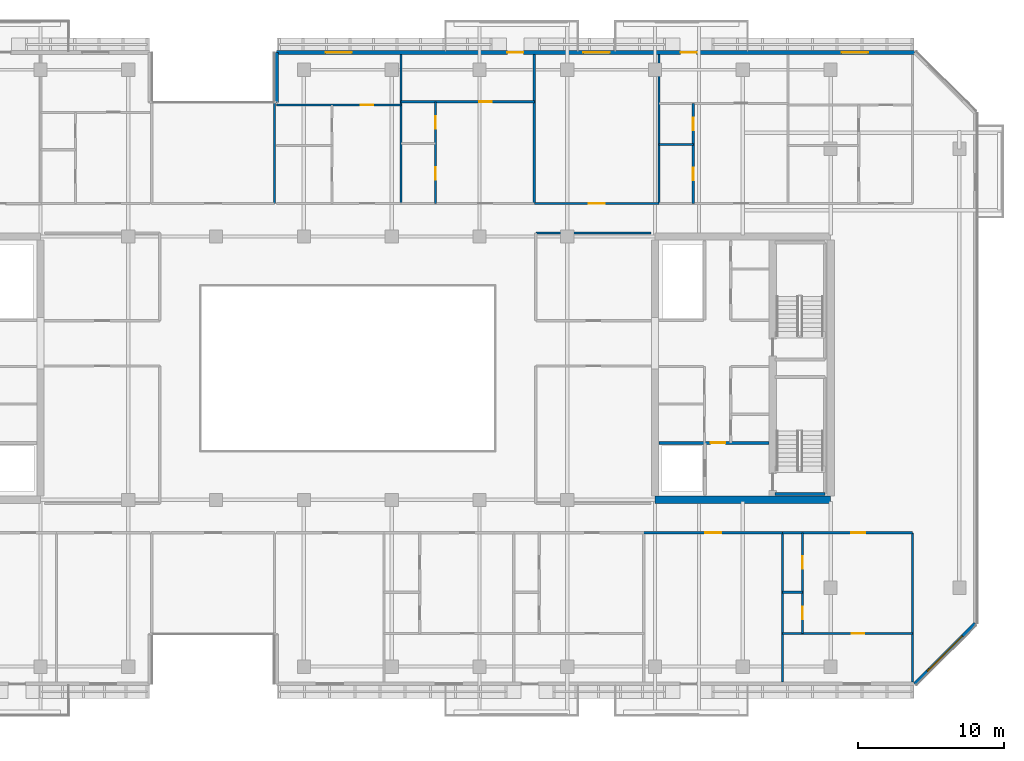
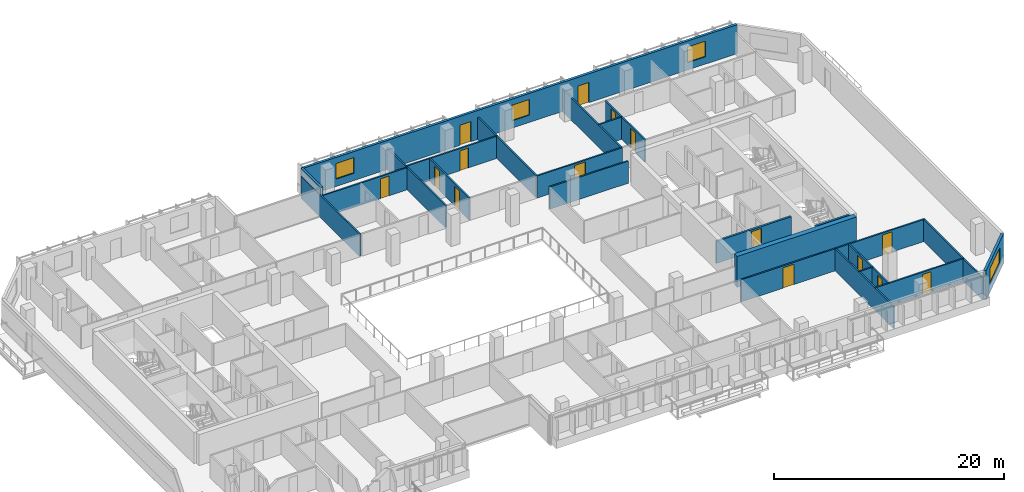
# One storey, part 13 of 21: 24 walls, 15 doors, 4 windows, 19 openings.
"""IFC4 building model written with IfcOpenShell, lengths in metres."""

from ifc_helpers import new_model, si_unit, direction, frame, frame_2d, origin, place, context, subcontext, project, spatial, rectangle, extrude, material, layer, layer_set, type_object, element, fill, save


model = new_model("IFC4")

# Units and contexts
model_context = context("Model", 3, precision=1e-05, world=origin(), true_north=direction((0.0, 1.0)))
body_context = subcontext(model_context, "Body", "Model", "MODEL_VIEW")
ifc_project = project(units=[si_unit("LENGTHUNIT", "METRE"), si_unit("AREAUNIT", "SQUARE_METRE"), si_unit("VOLUMEUNIT", "CUBIC_METRE"), si_unit("PLANEANGLEUNIT", "RADIAN"), si_unit("MASSUNIT", "GRAM", prefix="KILO")], contexts=[model_context])

# Site, building, storey
site_placement = place(None, origin())
site = spatial("IfcSite", under=ifc_project, at=site_placement, CompositionType="ELEMENT")
building_placement = place(site_placement, origin())
building = spatial("IfcBuilding", under=site, at=building_placement, Name="Tanjung Sevakor Pilgrim Tower", CompositionType="ELEMENT")
storey_placement = place(building_placement, frame((0.0, 0.0, 145.199951171875)))
storey = spatial("IfcBuildingStorey", under=building, at=storey_placement, Name="L40", CompositionType="ELEMENT", Elevation=145.199951171875)

# Walls
ifc_material_1 = material(Name="Concrete C60/75", Category="concrete")
ifc_layer_1 = layer(ifc_material_1, 0.5)
ifc_layer_set_1 = layer_set([ifc_layer_1], Name="WALL-CW-500")
wall_type_1 = type_object("IfcWallType", Name="WALL-CW-500", PredefinedType="SHEAR", material=ifc_layer_set_1)
wall_1_placement = place(storey_placement, frame((78.0, 24.60009765625, 0.0), z_axis=(0.0, 0.0, 1.0), x_axis=(1.0, 0.0, 0.0)))
element("IfcWall", 1, at=wall_1_placement, inside=storey, type_object=wall_type_1, Name="L40 E Core South Shear Wall", PredefinedType="SHEAR", context=body_context, shape_type="SweptSolid", body=[
    extrude(rectangle(XDim=12.0, YDim=0.5, at=frame_2d((6.0, 0.0))), origin(), (0.0, 0.0, 1.0), 3.300048828125),
])
ifc_material_2 = material(Name="Concrete C40/50", Category="concrete")
ifc_layer_2 = layer(ifc_material_2, 0.14990234375)
ifc_layer_set_2 = layer_set([ifc_layer_2], Name="WT-COMP-150")
wall_type_2 = type_object("IfcWallType", Name="WT-COMP-150", PredefinedType="SOLIDWALL", material=ifc_layer_set_2)
wall_2_placement = place(storey_placement, frame((69.85009765625, 42.85009765625, 0.0), z_axis=(0.0, 0.0, 1.0), x_axis=(1.0, 0.0, 0.0)))
element("IfcWall", 2, at=wall_2_placement, inside=storey, type_object=wall_type_2, Name="L40 Partition IW-L40-037", PredefinedType="SOLIDWALL", context=body_context, shape_type="SweptSolid", body=[
    extrude(rectangle(XDim=7.8798828125, YDim=0.14990234375, at=frame_2d((3.93994140625, 0.0))), origin(), (0.0, 0.0, 1.0), 2.35009765625),
])
wall_3_placement = place(storey_placement, frame((52.0, 44.85009765625, 0.0), z_axis=(0.0, 0.0, 1.0), x_axis=(0.0, 1.0, 0.0)))
element("IfcWall", 3, at=wall_3_placement, inside=storey, type_object=wall_type_2, Name="L40 Partition IW-L40-044", PredefinedType="SOLIDWALL", context=body_context, shape_type="SweptSolid", body=[
    extrude(rectangle(XDim=10.199951171875, YDim=0.14990234375, at=frame_2d((5.10009765625, 0.0))), origin(), (0.0, 0.0, 1.0), 2.35009765625),
])
for number, where, z_axis, x_axis, name in (
    (4, (95.60009765625, 12.14990234375, 0.0), (0.0, 0.0, 1.0), (0.0, 1.0, 0.0), "L40 Partition IW-L40-056"),
    (5, (86.72021484375, 12.14990234375, 0.0), (0.0, 0.0, 1.0), (0.0, 1.0, 0.0), "L40 Partition IW-L40-069"),
):
    element("IfcWall", number, at=place(storey_placement, frame(where, z_axis=z_axis, x_axis=x_axis)), inside=storey, type_object=wall_type_2, Name=name, PredefinedType="SOLIDWALL", context=body_context, shape_type="SweptSolid", body=[
        extrude(rectangle(XDim=10.2001953125, YDim=0.14990234375, at=frame_2d((5.10009765625, 0.0))), origin(), (0.0, 0.0, 1.0), 2.35009765625),
    ])

# Wall, opening, door
wall_4_placement = place(storey_placement, frame((77.22802734375, 22.35009765625, 0.0), z_axis=(0.0, 0.0, 1.0), x_axis=(1.0, 0.0, 0.0)))
wall_4 = element("IfcWall", 6, at=wall_4_placement, inside=storey, type_object=wall_type_2, Name="L40 Partition IW-L40-070", PredefinedType="SOLIDWALL", context=body_context, shape_type="SweptSolid", body=[
    extrude(rectangle(XDim=9.4921875, YDim=0.14990234375, at=frame_2d((4.74609375, 0.0))), origin(), (0.0, 0.0, 1.0), 2.35009765625),
])
opening_1_placement = place(wall_4_placement, frame((4.196044921875, 0.0, 0.0)))
opening_1 = element("IfcOpeningElement", 7, at=opening_1_placement, cuts=wall_4, Name="Opening ID-FD0", PredefinedType="OPENING", context=body_context, shape_type="SweptSolid", body=[
    extrude(rectangle(XDim=1.10009765625, YDim=2.14990234375, at=frame_2d((0.550048828125, 1.074951171875))), frame((0.0, 0.0849609375, 0.0), z_axis=(0.0, -1.0, 0.0), x_axis=(1.0, 0.0, 0.0)), (0.0, 0.0, 1.0), 0.169921875),
])
ifc_material_3 = material(Name="Fire-Rated Steel S355J2", Category="steel")
door_type_1 = type_object("IfcDoorType", Name="DT-FIRE-1100", OperationType="NOTDEFINED", PredefinedType="DOOR", material=ifc_material_3)
door_1_placement = place(opening_1_placement, origin())
door_1 = element("IfcDoor", 8, at=door_1_placement, inside=storey, type_object=door_type_1, Name="Council Room Door", OperationType="SINGLE_SWING_RIGHT", OverallHeight=2.14990234375, OverallWidth=1.10009765625, PredefinedType="DOOR", context=body_context, shape_type="SweptSolid", body=[
    extrude(rectangle(XDim=1.10009765625, YDim=2.14990234375, at=frame_2d((0.550048828125, 1.074951171875))), frame((0.0, 0.02490234375, 0.0), z_axis=(0.0, -1.0, 0.0), x_axis=(1.0, 0.0, 0.0)), (0.0, 0.0, 1.0), 0.050048828125),
])
fill(opening_1, door_1)

wall_5_placement = place(storey_placement, frame((86.72021484375, 22.35009765625, 0.0), z_axis=(0.0, 0.0, 1.0), x_axis=(1.0, 0.0, 0.0)))
wall_5 = element("IfcWall", 9, at=wall_5_placement, inside=storey, type_object=wall_type_2, Name="L40 Partition IW-L40-074", PredefinedType="SOLIDWALL", context=body_context, shape_type="SweptSolid", body=[
    extrude(rectangle(XDim=8.8798828125, YDim=0.14990234375, at=frame_2d((4.43994140625, 0.0))), origin(), (0.0, 0.0, 1.0), 2.35009765625),
])
opening_2_placement = place(wall_5_placement, frame((4.684814453125, 0.0, 0.0)))
opening_2 = element("IfcOpeningElement", 10, at=opening_2_placement, cuts=wall_5, Name="Opening ID-FD2", PredefinedType="OPENING", context=body_context, shape_type="SweptSolid", body=[
    extrude(rectangle(XDim=0.949951171875, YDim=2.14990234375, at=frame_2d((0.47509765625, 1.074951171875))), frame((0.0, 0.0849609375, 0.0), z_axis=(0.0, -1.0, 0.0), x_axis=(1.0, 0.0, 0.0)), (0.0, 0.0, 1.0), 0.169921875),
])
ifc_material_4 = material(Name="Fire-Rated Timber", Category="wood")
door_type_2 = type_object("IfcDoorType", Name="DT-FIRE-950", OperationType="NOTDEFINED", PredefinedType="DOOR", material=ifc_material_4)
door_2_placement = place(opening_2_placement, origin())
door_2 = element("IfcDoor", 11, at=door_2_placement, inside=storey, type_object=door_type_2, Name="Residence Entrance", OperationType="SINGLE_SWING_RIGHT", OverallHeight=2.14990234375, OverallWidth=0.949951171875, PredefinedType="DOOR", context=body_context, shape_type="SweptSolid", body=[
    extrude(rectangle(XDim=0.949951171875, YDim=2.14990234375, at=frame_2d((0.47509765625, 1.074951171875))), frame((0.0, 0.02490234375, 0.0), z_axis=(0.0, -1.0, 0.0), x_axis=(1.0, 0.0, 0.0)), (0.0, 0.0, 1.0), 0.050048828125),
])
fill(opening_2, door_2)

# Walls
for number, where, z_axis, x_axis, name in (
    (12, (60.6396484375, 44.85009765625, 0.0), (0.0, 0.0, 1.0), (0.0, 1.0, 0.0), "L40 Partition IW-L40-087"),
    (13, (69.7470703125, 44.85009765625, 0.0), (0.0, 0.0, 1.0), (0.0, 1.0, 0.0), "L40 Partition IW-L40-092"),
    (14, (78.2666015625, 44.85009765625, 0.0), (0.0, 0.0, 1.0), (0.0, 1.0, 0.0), "L40 Partition IW-L40-097"),
):
    element("IfcWall", number, at=place(storey_placement, frame(where, z_axis=z_axis, x_axis=x_axis)), inside=storey, type_object=wall_type_2, Name=name, PredefinedType="SOLIDWALL", context=body_context, shape_type="SweptSolid", body=[
        extrude(rectangle(XDim=10.199951171875, YDim=0.14990234375, at=frame_2d((5.10009765625, 0.0))), origin(), (0.0, 0.0, 1.0), 2.35009765625),
    ])

# Wall, opening, door
wall_6_placement = place(storey_placement, frame((69.7470703125, 44.85009765625, 0.0), z_axis=(0.0, 0.0, 1.0), x_axis=(1.0, 0.0, 0.0)))
wall_6 = element("IfcWall", 15, at=wall_6_placement, inside=storey, type_object=wall_type_2, Name="L40 Partition IW-L40-098", PredefinedType="SOLIDWALL", context=body_context, shape_type="SweptSolid", body=[
    extrude(rectangle(XDim=8.51953125, YDim=0.14990234375, at=frame_2d((4.259765625, 0.0))), origin(), (0.0, 0.0, 1.0), 2.35009765625),
])
opening_3_placement = place(wall_6_placement, frame((3.7099609375, 0.0, 0.0)))
opening_3 = element("IfcOpeningElement", 16, at=opening_3_placement, cuts=wall_6, Name="Opening ID-FD0", PredefinedType="OPENING", context=body_context, shape_type="SweptSolid", body=[
    extrude(rectangle(XDim=1.10009765625, YDim=2.14990234375, at=frame_2d((0.550048828125, 1.074951171875))), frame((0.0, 0.0849609375, 0.0), z_axis=(0.0, -1.0, 0.0), x_axis=(1.0, 0.0, 0.0)), (0.0, 0.0, 1.0), 0.169921875),
])
door_3_placement = place(opening_3_placement, origin())
door_3 = element("IfcDoor", 17, at=door_3_placement, inside=storey, type_object=door_type_1, Name="Communal Lounge Door", OperationType="SINGLE_SWING_LEFT", OverallHeight=2.14990234375, OverallWidth=1.10009765625, PredefinedType="DOOR", context=body_context, shape_type="SweptSolid", body=[
    extrude(rectangle(XDim=1.10009765625, YDim=2.14990234375, at=frame_2d((0.550048828125, 1.074951171875))), frame((0.0, 0.02490234375, 0.0), z_axis=(0.0, -1.0, 0.0), x_axis=(1.0, 0.0, 0.0)), (0.0, 0.0, 1.0), 0.050048828125),
])
fill(opening_3, door_3)

# Wall, opening, window
ifc_material_5 = material(Name="Precast concrete C45/55", Category="concrete")
ifc_layer_3 = layer(ifc_material_5, 0.25)
ifc_layer_set_3 = layer_set([ifc_layer_3], Name="WT-EW-STN3")
wall_type_3 = type_object("IfcWallType", Name="WT-EW-STN3", PredefinedType="SOLIDWALL", material=ifc_layer_set_3)
wall_7_placement = place(storey_placement, frame((95.748291015625, 12.02490234375, 0.0), z_axis=(0.0, 0.0, 1.0), x_axis=(0.70708586489, 0.707127696864, 0.0)))
wall_7 = element("IfcWall", 18, at=wall_7_placement, inside=storey, type_object=wall_type_3, Name="L40 MAIN Sculpted Corner Wall 5", PredefinedType="SOLIDWALL", context=body_context, shape_type="SweptSolid", body=[
    extrude(rectangle(XDim=5.836181640625, YDim=0.25, at=frame_2d((2.91796875, 0.0))), origin(), (0.0, 0.0, 1.0), 3.080078125),
])
opening_4_placement = place(wall_7_placement, frame((1.218017578125, 0.0, 0.780029296875)))
opening_4 = element("IfcOpeningElement", 19, at=opening_4_placement, cuts=wall_7, Name="Opening WN-CHM-1660", PredefinedType="OPENING", context=body_context, shape_type="SweptSolid", body=[
    extrude(rectangle(XDim=3.39990234375, YDim=1.659912109375, at=frame_2d((1.699951171875, 0.830078125))), frame((0.0, 0.135009765625, 0.0), z_axis=(0.0, -1.0, 0.0), x_axis=(1.0, 0.0, 0.0)), (0.0, 0.0, 1.0), 0.27001953125),
])
ifc_material_6 = material(Name="Thermally Broken Aluminium and Low-E Glass", Category="aluminium")
window_type_1 = type_object("IfcWindowType", Name="WTYP-WN-CHM-1660", PartitioningType="DOUBLE_PANEL_VERTICAL", PredefinedType="WINDOW", material=ifc_material_6)
window_1_placement = place(opening_4_placement, origin())
window_1 = element("IfcWindow", 20, at=window_1_placement, inside=storey, type_object=window_type_1, Name="L40 Facade Window 01", OverallHeight=1.659912109375, OverallWidth=3.39990234375, PartitioningType="SINGLE_PANEL", PredefinedType="WINDOW", context=body_context, shape_type="SweptSolid", body=[
    extrude(rectangle(XDim=3.39990234375, YDim=1.659912109375, at=frame_2d((1.699951171875, 0.830078125))), frame((0.0, 0.030029296875, 0.0), z_axis=(0.0, -1.0, 0.0), x_axis=(1.0, 0.0, 0.0)), (0.0, 0.0, 1.0), 0.06005859375),
])
fill(opening_4, window_1)

# Wall, openings, doors, windows
wall_8_placement = place(storey_placement, frame((95.748291015625, 55.175048828125, 0.0), z_axis=(0.0, 0.0, 1.0), x_axis=(-1.0, 0.0, 0.0)))
wall_8 = element("IfcWall", 21, at=wall_8_placement, inside=storey, type_object=wall_type_3, Name="L40 MAIN Exterior Wall 9", PredefinedType="SOLIDWALL", context=body_context, shape_type="SweptSolid", body=[
    extrude(rectangle(XDim=43.623291015625, YDim=0.25, at=frame_2d((21.8115234375, 0.0))), origin(), (0.0, 0.0, 1.0), 3.080078125),
])
opening_5_placement = place(wall_8_placement, frame((26.748291015625, 0.0, 0.0)))
opening_5 = element("IfcOpeningElement", 22, at=opening_5_placement, cuts=wall_8, Name="Opening ED-BAL-1100", PredefinedType="OPENING", context=body_context, shape_type="SweptSolid", body=[
    extrude(rectangle(XDim=1.10009765625, YDim=2.14990234375, at=frame_2d((0.550048828125, 1.074951171875))), frame((0.0, 0.135009765625, 0.0), z_axis=(0.0, -1.0, 0.0), x_axis=(1.0, 0.0, 0.0)), (0.0, 0.0, 1.0), 0.27001953125),
])
opening_6_placement = place(wall_8_placement, frame((14.898193359375, 0.0, 0.0)))
opening_6 = element("IfcOpeningElement", 23, at=opening_6_placement, cuts=wall_8, Name="Opening ED-BAL-1100", PredefinedType="OPENING", context=body_context, shape_type="SweptSolid", body=[
    extrude(rectangle(XDim=1.10009765625, YDim=2.14990234375, at=frame_2d((0.550048828125, 1.074951171875))), frame((0.0, 0.135009765625, 0.0), z_axis=(0.0, -1.0, 0.0), x_axis=(1.0, 0.0, 0.0)), (0.0, 0.0, 1.0), 0.27001953125),
])
opening_7_placement = place(wall_8_placement, frame((38.46826171875, 0.0, 0.780029296875)))
opening_7 = element("IfcOpeningElement", 24, at=opening_7_placement, cuts=wall_8, Name="Opening WN-Z3-1660", PredefinedType="OPENING", context=body_context, shape_type="SweptSolid", body=[
    extrude(rectangle(XDim=1.800048828125, YDim=1.659912109375, at=frame_2d((0.89990234375, 0.830078125))), frame((0.0, 0.135009765625, 0.0), z_axis=(0.0, -1.0, 0.0), x_axis=(1.0, 0.0, 0.0)), (0.0, 0.0, 1.0), 0.27001953125),
])
opening_8_placement = place(wall_8_placement, frame((20.84130859375, 0.0, 0.780029296875)))
opening_8 = element("IfcOpeningElement", 25, at=opening_8_placement, cuts=wall_8, Name="Opening WN-Z3-1660", PredefinedType="OPENING", context=body_context, shape_type="SweptSolid", body=[
    extrude(rectangle(XDim=1.800048828125, YDim=1.659912109375, at=frame_2d((0.89990234375, 0.830078125))), frame((0.0, 0.135009765625, 0.0), z_axis=(0.0, -1.0, 0.0), x_axis=(1.0, 0.0, 0.0)), (0.0, 0.0, 1.0), 0.27001953125),
])
opening_9_placement = place(wall_8_placement, frame((3.18798828125, 0.0, 0.780029296875)))
opening_9 = element("IfcOpeningElement", 26, at=opening_9_placement, cuts=wall_8, Name="Opening WN-Z3-1660", PredefinedType="OPENING", context=body_context, shape_type="SweptSolid", body=[
    extrude(rectangle(XDim=1.800048828125, YDim=1.659912109375, at=frame_2d((0.89990234375, 0.830078125))), frame((0.0, 0.135009765625, 0.0), z_axis=(0.0, -1.0, 0.0), x_axis=(1.0, 0.0, 0.0)), (0.0, 0.0, 1.0), 0.27001953125),
])
ifc_material_7 = material(Name="Anodised Aluminium and Laminated Glass", Category="aluminium")
door_type_3 = type_object("IfcDoorType", Name="DTYP-ED-BAL-1100", OperationType="NOTDEFINED", PredefinedType="DOOR", material=ifc_material_7)
door_4_placement = place(opening_5_placement, frame((1.10009765625, 0.0, 0.0), z_axis=(0.0, 0.0, 1.0), x_axis=(-1.0, 0.0, 0.0)))
door_4 = element("IfcDoor", 27, at=door_4_placement, inside=storey, type_object=door_type_3, Name="L40 Balcony Door MAIN-N2", OperationType="SINGLE_SWING_RIGHT", OverallHeight=2.14990234375, OverallWidth=1.10009765625, PredefinedType="DOOR", context=body_context, shape_type="SweptSolid", body=[
    extrude(rectangle(XDim=1.10009765625, YDim=2.14990234375, at=frame_2d((0.550048828125, 1.074951171875))), frame((0.0, 0.02490234375, 0.0), z_axis=(0.0, -1.0, 0.0), x_axis=(1.0, 0.0, 0.0)), (0.0, 0.0, 1.0), 0.050048828125),
])
fill(opening_5, door_4)
door_5_placement = place(opening_6_placement, frame((1.10009765625, 0.0, 0.0), z_axis=(0.0, 0.0, 1.0), x_axis=(-1.0, 0.0, 0.0)))
door_5 = element("IfcDoor", 28, at=door_5_placement, inside=storey, type_object=door_type_3, Name="L40 Balcony Door MAIN-N3", OperationType="SINGLE_SWING_LEFT", OverallHeight=2.14990234375, OverallWidth=1.10009765625, PredefinedType="DOOR", context=body_context, shape_type="SweptSolid", body=[
    extrude(rectangle(XDim=1.10009765625, YDim=2.14990234375, at=frame_2d((0.550048828125, 1.074951171875))), frame((0.0, 0.02490234375, 0.0), z_axis=(0.0, -1.0, 0.0), x_axis=(1.0, 0.0, 0.0)), (0.0, 0.0, 1.0), 0.050048828125),
])
fill(opening_6, door_5)
ifc_material_8 = material(Name="Thermally Broken Aluminium and Low-E Glass", Category="aluminium")
window_type_2 = type_object("IfcWindowType", Name="WTYP-WN-Z3-1660", PartitioningType="DOUBLE_PANEL_VERTICAL", PredefinedType="WINDOW", material=ifc_material_8)
window_2_placement = place(opening_7_placement, origin())
window_2 = element("IfcWindow", 29, at=window_2_placement, inside=storey, type_object=window_type_2, Name="L40 Facade Window 01", OverallHeight=1.659912109375, OverallWidth=1.800048828125, PartitioningType="SINGLE_PANEL", PredefinedType="WINDOW", context=body_context, shape_type="SweptSolid", body=[
    extrude(rectangle(XDim=1.800048828125, YDim=1.659912109375, at=frame_2d((0.89990234375, 0.830078125))), frame((0.0, 0.030029296875, 0.0), z_axis=(0.0, -1.0, 0.0), x_axis=(1.0, 0.0, 0.0)), (0.0, 0.0, 1.0), 0.06005859375),
])
fill(opening_7, window_2)
window_3_placement = place(opening_8_placement, origin())
window_3 = element("IfcWindow", 30, at=window_3_placement, inside=storey, type_object=window_type_2, Name="L40 Facade Window 02", OverallHeight=1.659912109375, OverallWidth=1.800048828125, PartitioningType="SINGLE_PANEL", PredefinedType="WINDOW", context=body_context, shape_type="SweptSolid", body=[
    extrude(rectangle(XDim=1.800048828125, YDim=1.659912109375, at=frame_2d((0.89990234375, 0.830078125))), frame((0.0, 0.030029296875, 0.0), z_axis=(0.0, -1.0, 0.0), x_axis=(1.0, 0.0, 0.0)), (0.0, 0.0, 1.0), 0.06005859375),
])
fill(opening_8, window_3)
window_4_placement = place(opening_9_placement, origin())
window_4 = element("IfcWindow", 31, at=window_4_placement, inside=storey, type_object=window_type_2, Name="L40 Facade Window 03", OverallHeight=1.659912109375, OverallWidth=1.800048828125, PartitioningType="SINGLE_PANEL", PredefinedType="WINDOW", context=body_context, shape_type="SweptSolid", body=[
    extrude(rectangle(XDim=1.800048828125, YDim=1.659912109375, at=frame_2d((0.89990234375, 0.830078125))), frame((0.0, 0.030029296875, 0.0), z_axis=(0.0, -1.0, 0.0), x_axis=(1.0, 0.0, 0.0)), (0.0, 0.0, 1.0), 0.06005859375),
])
fill(opening_9, window_4)

# Walls
wall_9_placement = place(storey_placement, frame((52.125, 55.175048828125, 0.0), z_axis=(0.0, 0.0, 1.0), x_axis=(0.0, -1.0, 0.0)))
element("IfcWall", 32, at=wall_9_placement, inside=storey, type_object=wall_type_3, Name="L40 MAIN Exterior Wall 10", PredefinedType="SOLIDWALL", context=body_context, shape_type="SweptSolid", body=[
    extrude(rectangle(XDim=3.400146484375, YDim=0.25, at=frame_2d((1.7001953125, 0.0))), origin(), (0.0, 0.0, 1.0), 3.080078125),
])
ifc_material_9 = material(Name="Concrete C40/50", Category="concrete")
ifc_layer_4 = layer(ifc_material_9, 0.199951171875)
ifc_layer_set_4 = layer_set([ifc_layer_4], Name="WT-FIRE-200")
wall_type_4 = type_object("IfcWallType", Name="WT-FIRE-200", PredefinedType="SOLIDWALL", material=ifc_layer_set_4)
wall_10_placement = place(storey_placement, frame((86.199951171875, 25.0, 0.0), z_axis=(0.0, 0.0, 1.0), x_axis=(1.0, 0.0, 0.0)))
element("IfcWall", 33, at=wall_10_placement, inside=storey, type_object=wall_type_4, Name="L40 TS-E1 Shaft Wall 1", PredefinedType="SOLIDWALL", context=body_context, shape_type="SweptSolid", body=[
    extrude(rectangle(XDim=3.400146484375, YDim=0.199951171875, at=frame_2d((1.7001953125, 0.0))), origin(), (0.0, 0.0, 1.0), 3.300048828125),
])

# Wall, opening, door
ifc_material_10 = material(Name="Concrete C40/50", Category="concrete")
ifc_layer_5 = layer(ifc_material_10, 0.199951171875)
ifc_layer_set_5 = layer_set([ifc_layer_5], Name="WT-FPRT-200")
wall_type_5 = type_object("IfcWallType", Name="WT-FPRT-200", PredefinedType="SOLIDWALL", material=ifc_layer_set_5)
wall_11_placement = place(storey_placement, frame((78.27001953125, 28.5, 0.0), z_axis=(0.0, 0.0, 1.0), x_axis=(1.0, 0.0, 0.0)))
wall_11 = element("IfcWall", 34, at=wall_11_placement, inside=storey, type_object=wall_type_5, Name="L40 Partition IW-L40-015", PredefinedType="SOLIDWALL", context=body_context, shape_type="SweptSolid", body=[
    extrude(rectangle(XDim=7.510009765625, YDim=0.199951171875, at=frame_2d((3.7548828125, 0.0))), origin(), (0.0, 0.0, 1.0), 2.35009765625),
])
opening_10_placement = place(wall_11_placement, frame((3.530029296875, 0.0, 0.0)))
opening_10 = element("IfcOpeningElement", 35, at=opening_10_placement, cuts=wall_11, Name="Opening ID-FD1", PredefinedType="OPENING", context=body_context, shape_type="SweptSolid", body=[
    extrude(rectangle(XDim=1.0, YDim=2.14990234375, at=frame_2d((0.5, 1.074951171875))), frame((0.0, 0.10986328125, 0.0), z_axis=(0.0, -1.0, 0.0), x_axis=(1.0, 0.0, 0.0)), (0.0, 0.0, 1.0), 0.219970703125),
])
ifc_material_11 = material(Name="Fire-Rated Steel S355J2", Category="steel")
door_type_4 = type_object("IfcDoorType", Name="DT-FIRE-1000", OperationType="NOTDEFINED", PredefinedType="DOOR", material=ifc_material_11)
door_6_placement = place(opening_10_placement, origin())
door_6 = element("IfcDoor", 36, at=door_6_placement, inside=storey, type_object=door_type_4, Name="Fire Lobby Door E", OperationType="SINGLE_SWING_RIGHT", OverallHeight=2.14990234375, OverallWidth=1.0, PredefinedType="DOOR", context=body_context, shape_type="SweptSolid", body=[
    extrude(rectangle(XDim=1.0, YDim=2.14990234375, at=frame_2d((0.5, 1.074951171875))), frame((0.0, 0.02490234375, 0.0), z_axis=(0.0, -1.0, 0.0), x_axis=(1.0, 0.0, 0.0)), (0.0, 0.0, 1.0), 0.050048828125),
])
fill(opening_10, door_6)

# Wall
ifc_material_12 = material(Name="Gypsum Board Partition", Category="gypsum board")
ifc_layer_6 = layer(ifc_material_12, 0.14990234375)
ifc_layer_set_6 = layer_set([ifc_layer_6], Name="WT-PART-150")
wall_type_6 = type_object("IfcWallType", Name="WT-PART-150", PredefinedType="PARTITIONING", material=ifc_layer_set_6)
wall_12_placement = place(storey_placement, frame((86.72021484375, 18.2919921875, 0.0), z_axis=(0.0, 0.0, 1.0), x_axis=(1.0, 0.0, 0.0)))
element("IfcWall", 37, at=wall_12_placement, inside=storey, type_object=wall_type_6, Name="L40 Partition IW-L40-071", PredefinedType="PARTITIONING", context=body_context, shape_type="SweptSolid", body=[
    extrude(rectangle(XDim=1.35986328125, YDim=0.14990234375, at=frame_2d((0.679931640625, 0.0))), origin(), (0.0, 0.0, 1.0), 2.35009765625),
])

# Wall, openings, doors
wall_13_placement = place(storey_placement, frame((88.080078125, 15.47216796875, 0.0), z_axis=(0.0, 0.0, 1.0), x_axis=(0.0, 1.0, 0.0)))
wall_13 = element("IfcWall", 38, at=wall_13_placement, inside=storey, type_object=wall_type_6, Name="L40 Partition IW-L40-072", PredefinedType="PARTITIONING", context=body_context, shape_type="SweptSolid", body=[
    extrude(rectangle(XDim=6.8779296875, YDim=0.14990234375, at=frame_2d((3.43896484375, 0.0))), origin(), (0.0, 0.0, 1.0), 2.35009765625),
])
opening_11_placement = place(wall_13_placement, frame((0.985107421875, 0.0, 0.0)))
opening_11 = element("IfcOpeningElement", 39, at=opening_11_placement, cuts=wall_13, Name="Opening ID-WC1", PredefinedType="OPENING", context=body_context, shape_type="SweptSolid", body=[
    extrude(rectangle(XDim=0.85009765625, YDim=2.10009765625, at=frame_2d((0.425048828125, 1.050048828125))), frame((0.0, 0.0849609375, 0.0), z_axis=(0.0, -1.0, 0.0), x_axis=(1.0, 0.0, 0.0)), (0.0, 0.0, 1.0), 0.169921875),
])
opening_12_placement = place(wall_13_placement, frame((4.423828125, 0.0, 0.0)))
opening_12 = element("IfcOpeningElement", 40, at=opening_12_placement, cuts=wall_13, Name="Opening ID-WC1", PredefinedType="OPENING", context=body_context, shape_type="SweptSolid", body=[
    extrude(rectangle(XDim=0.85009765625, YDim=2.10009765625, at=frame_2d((0.425048828125, 1.050048828125))), frame((0.0, 0.0849609375, 0.0), z_axis=(0.0, -1.0, 0.0), x_axis=(1.0, 0.0, 0.0)), (0.0, 0.0, 1.0), 0.169921875),
])
ifc_material_13 = material(Name="Moisture-Resistant Timber", Category="wood")
door_type_5 = type_object("IfcDoorType", Name="DT-INT-850", OperationType="NOTDEFINED", PredefinedType="DOOR", material=ifc_material_13)
door_7_placement = place(opening_11_placement, origin())
door_7 = element("IfcDoor", 41, at=door_7_placement, inside=storey, type_object=door_type_5, Name="Residence Bathroom Door", OperationType="SINGLE_SWING_LEFT", OverallHeight=2.10009765625, OverallWidth=0.85009765625, PredefinedType="DOOR", context=body_context, shape_type="SweptSolid", body=[
    extrude(rectangle(XDim=0.85009765625, YDim=2.10009765625, at=frame_2d((0.425048828125, 1.050048828125))), frame((0.0, 0.02490234375, 0.0), z_axis=(0.0, -1.0, 0.0), x_axis=(1.0, 0.0, 0.0)), (0.0, 0.0, 1.0), 0.050048828125),
])
fill(opening_11, door_7)
door_8_placement = place(opening_12_placement, origin())
door_8 = element("IfcDoor", 42, at=door_8_placement, inside=storey, type_object=door_type_5, Name="Residence Kitchenette Door", OperationType="SINGLE_SWING_RIGHT", OverallHeight=2.10009765625, OverallWidth=0.85009765625, PredefinedType="DOOR", context=body_context, shape_type="SweptSolid", body=[
    extrude(rectangle(XDim=0.85009765625, YDim=2.10009765625, at=frame_2d((0.425048828125, 1.050048828125))), frame((0.0, 0.02490234375, 0.0), z_axis=(0.0, -1.0, 0.0), x_axis=(1.0, 0.0, 0.0)), (0.0, 0.0, 1.0), 0.050048828125),
])
fill(opening_12, door_8)

# Wall, opening, door
wall_14_placement = place(storey_placement, frame((86.72021484375, 15.47216796875, 0.0), z_axis=(0.0, 0.0, 1.0), x_axis=(1.0, 0.0, 0.0)))
wall_14 = element("IfcWall", 43, at=wall_14_placement, inside=storey, type_object=wall_type_6, Name="L40 Partition IW-L40-073", PredefinedType="PARTITIONING", context=body_context, shape_type="SweptSolid", body=[
    extrude(rectangle(XDim=8.8798828125, YDim=0.14990234375, at=frame_2d((4.43994140625, 0.0))), origin(), (0.0, 0.0, 1.0), 2.35009765625),
])
opening_13_placement = place(wall_14_placement, frame((4.73486328125, 0.0, 0.0)))
opening_13 = element("IfcOpeningElement", 44, at=opening_13_placement, cuts=wall_14, Name="Opening ID-WC1", PredefinedType="OPENING", context=body_context, shape_type="SweptSolid", body=[
    extrude(rectangle(XDim=0.85009765625, YDim=2.10009765625, at=frame_2d((0.425048828125, 1.050048828125))), frame((0.0, 0.0849609375, 0.0), z_axis=(0.0, -1.0, 0.0), x_axis=(1.0, 0.0, 0.0)), (0.0, 0.0, 1.0), 0.169921875),
])
door_9_placement = place(opening_13_placement, origin())
door_9 = element("IfcDoor", 45, at=door_9_placement, inside=storey, type_object=door_type_5, Name="Residence Bedroom Door", OperationType="SINGLE_SWING_LEFT", OverallHeight=2.10009765625, OverallWidth=0.85009765625, PredefinedType="DOOR", context=body_context, shape_type="SweptSolid", body=[
    extrude(rectangle(XDim=0.85009765625, YDim=2.10009765625, at=frame_2d((0.425048828125, 1.050048828125))), frame((0.0, 0.02490234375, 0.0), z_axis=(0.0, -1.0, 0.0), x_axis=(1.0, 0.0, 0.0)), (0.0, 0.0, 1.0), 0.050048828125),
])
fill(opening_13, door_9)

wall_15_placement = place(storey_placement, frame((52.1201171875, 51.58740234375, 0.0), z_axis=(0.0, 0.0, 1.0), x_axis=(1.0, 0.0, 0.0)))
wall_15 = element("IfcWall", 46, at=wall_15_placement, inside=storey, type_object=wall_type_6, Name="L40 Partition IW-L40-090", PredefinedType="PARTITIONING", context=body_context, shape_type="SweptSolid", body=[
    extrude(rectangle(XDim=8.51953125, YDim=0.14990234375, at=frame_2d((4.259765625, 0.0))), origin(), (0.0, 0.0, 1.0), 2.35009765625),
])
opening_14_placement = place(wall_15_placement, frame((5.77490234375, 0.0, 0.0)))
opening_14 = element("IfcOpeningElement", 47, at=opening_14_placement, cuts=wall_15, Name="Opening ID-WC1", PredefinedType="OPENING", context=body_context, shape_type="SweptSolid", body=[
    extrude(rectangle(XDim=0.85009765625, YDim=2.10009765625, at=frame_2d((0.425048828125, 1.050048828125))), frame((0.0, 0.0849609375, 0.0), z_axis=(0.0, -1.0, 0.0), x_axis=(1.0, 0.0, 0.0)), (0.0, 0.0, 1.0), 0.169921875),
])
door_10_placement = place(opening_14_placement, origin())
door_10 = element("IfcDoor", 48, at=door_10_placement, inside=storey, type_object=door_type_5, Name="Residence Bedroom Door", OperationType="SINGLE_SWING_LEFT", OverallHeight=2.10009765625, OverallWidth=0.85009765625, PredefinedType="DOOR", context=body_context, shape_type="SweptSolid", body=[
    extrude(rectangle(XDim=0.85009765625, YDim=2.10009765625, at=frame_2d((0.425048828125, 1.050048828125))), frame((0.0, 0.02490234375, 0.0), z_axis=(0.0, -1.0, 0.0), x_axis=(1.0, 0.0, 0.0)), (0.0, 0.0, 1.0), 0.050048828125),
])
fill(opening_14, door_10)

# Wall, openings, doors
wall_16_placement = place(storey_placement, frame((62.98974609375, 44.85009765625, 0.0), z_axis=(0.0, 0.0, 1.0), x_axis=(0.0, 1.0, 0.0)))
wall_16 = element("IfcWall", 49, at=wall_16_placement, inside=storey, type_object=wall_type_6, Name="L40 Partition IW-L40-094", PredefinedType="PARTITIONING", context=body_context, shape_type="SweptSolid", body=[
    extrude(rectangle(XDim=6.960693359375, YDim=0.14990234375, at=frame_2d((3.48046875, 0.0))), origin(), (0.0, 0.0, 1.0), 2.35009765625),
])
opening_15_placement = place(wall_16_placement, frame((1.62841796875, 0.0, 0.0)))
opening_15 = element("IfcOpeningElement", 50, at=opening_15_placement, cuts=wall_16, Name="Opening ID-WC1", PredefinedType="OPENING", context=body_context, shape_type="SweptSolid", body=[
    extrude(rectangle(XDim=0.85009765625, YDim=2.10009765625, at=frame_2d((0.425048828125, 1.050048828125))), frame((0.0, 0.0849609375, 0.0), z_axis=(0.0, -1.0, 0.0), x_axis=(1.0, 0.0, 0.0)), (0.0, 0.0, 1.0), 0.169921875),
])
opening_16_placement = place(wall_16_placement, frame((5.10888671875, 0.0, 0.0)))
opening_16 = element("IfcOpeningElement", 51, at=opening_16_placement, cuts=wall_16, Name="Opening ID-WC1", PredefinedType="OPENING", context=body_context, shape_type="SweptSolid", body=[
    extrude(rectangle(XDim=0.85009765625, YDim=2.10009765625, at=frame_2d((0.425048828125, 1.050048828125))), frame((0.0, 0.0849609375, 0.0), z_axis=(0.0, -1.0, 0.0), x_axis=(1.0, 0.0, 0.0)), (0.0, 0.0, 1.0), 0.169921875),
])
door_11_placement = place(opening_15_placement, origin())
door_11 = element("IfcDoor", 52, at=door_11_placement, inside=storey, type_object=door_type_5, Name="Residence Kitchenette Door", OperationType="SINGLE_SWING_LEFT", OverallHeight=2.10009765625, OverallWidth=0.85009765625, PredefinedType="DOOR", context=body_context, shape_type="SweptSolid", body=[
    extrude(rectangle(XDim=0.85009765625, YDim=2.10009765625, at=frame_2d((0.425048828125, 1.050048828125))), frame((0.0, 0.02490234375, 0.0), z_axis=(0.0, -1.0, 0.0), x_axis=(1.0, 0.0, 0.0)), (0.0, 0.0, 1.0), 0.050048828125),
])
fill(opening_15, door_11)
door_12_placement = place(opening_16_placement, origin())
door_12 = element("IfcDoor", 53, at=door_12_placement, inside=storey, type_object=door_type_5, Name="Residence Bathroom Door", OperationType="SINGLE_SWING_RIGHT", OverallHeight=2.10009765625, OverallWidth=0.85009765625, PredefinedType="DOOR", context=body_context, shape_type="SweptSolid", body=[
    extrude(rectangle(XDim=0.85009765625, YDim=2.10009765625, at=frame_2d((0.425048828125, 1.050048828125))), frame((0.0, 0.02490234375, 0.0), z_axis=(0.0, -1.0, 0.0), x_axis=(1.0, 0.0, 0.0)), (0.0, 0.0, 1.0), 0.050048828125),
])
fill(opening_16, door_12)

# Wall, opening, door
wall_17_placement = place(storey_placement, frame((60.6396484375, 51.810791015625, 0.0), z_axis=(0.0, 0.0, 1.0), x_axis=(1.0, 0.0, 0.0)))
wall_17 = element("IfcWall", 54, at=wall_17_placement, inside=storey, type_object=wall_type_6, Name="L40 Partition IW-L40-095", PredefinedType="PARTITIONING", context=body_context, shape_type="SweptSolid", body=[
    extrude(rectangle(XDim=9.107421875, YDim=0.14990234375, at=frame_2d((4.5537109375, 0.0))), origin(), (0.0, 0.0, 1.0), 2.35009765625),
])
opening_17_placement = place(wall_17_placement, frame((5.34375, 0.0, 0.0)))
opening_17 = element("IfcOpeningElement", 55, at=opening_17_placement, cuts=wall_17, Name="Opening ID-WC1", PredefinedType="OPENING", context=body_context, shape_type="SweptSolid", body=[
    extrude(rectangle(XDim=0.85009765625, YDim=2.10009765625, at=frame_2d((0.425048828125, 1.050048828125))), frame((0.0, 0.0849609375, 0.0), z_axis=(0.0, -1.0, 0.0), x_axis=(1.0, 0.0, 0.0)), (0.0, 0.0, 1.0), 0.169921875),
])
door_13_placement = place(opening_17_placement, origin())
door_13 = element("IfcDoor", 56, at=door_13_placement, inside=storey, type_object=door_type_5, Name="Residence Bedroom Door", OperationType="SINGLE_SWING_LEFT", OverallHeight=2.10009765625, OverallWidth=0.85009765625, PredefinedType="DOOR", context=body_context, shape_type="SweptSolid", body=[
    extrude(rectangle(XDim=0.85009765625, YDim=2.10009765625, at=frame_2d((0.425048828125, 1.050048828125))), frame((0.0, 0.02490234375, 0.0), z_axis=(0.0, -1.0, 0.0), x_axis=(1.0, 0.0, 0.0)), (0.0, 0.0, 1.0), 0.050048828125),
])
fill(opening_17, door_13)

# Wall
wall_18_placement = place(storey_placement, frame((78.2666015625, 48.893310546875, 0.0), z_axis=(0.0, 0.0, 1.0), x_axis=(1.0, 0.0, 0.0)))
element("IfcWall", 57, at=wall_18_placement, inside=storey, type_object=wall_type_6, Name="L40 Partition IW-L40-100", PredefinedType="PARTITIONING", context=body_context, shape_type="SweptSolid", body=[
    extrude(rectangle(XDim=2.35009765625, YDim=0.14990234375, at=frame_2d((1.175048828125, 0.0))), origin(), (0.0, 0.0, 1.0), 2.35009765625),
])

# Wall, openings, doors
wall_19_placement = place(storey_placement, frame((80.61669921875, 44.85009765625, 0.0), z_axis=(0.0, 0.0, 1.0), x_axis=(0.0, 1.0, 0.0)))
wall_19 = element("IfcWall", 58, at=wall_19_placement, inside=storey, type_object=wall_type_6, Name="L40 Partition IW-L40-101", PredefinedType="PARTITIONING", context=body_context, shape_type="SweptSolid", body=[
    extrude(rectangle(XDim=6.852783203125, YDim=0.14990234375, at=frame_2d((3.42626953125, 0.0))), origin(), (0.0, 0.0, 1.0), 2.35009765625),
])
opening_18_placement = place(wall_19_placement, frame((1.5966796875, 0.0, 0.0)))
opening_18 = element("IfcOpeningElement", 59, at=opening_18_placement, cuts=wall_19, Name="Opening ID-WC1", PredefinedType="OPENING", context=body_context, shape_type="SweptSolid", body=[
    extrude(rectangle(XDim=0.85009765625, YDim=2.10009765625, at=frame_2d((0.425048828125, 1.050048828125))), frame((0.0, 0.0849609375, 0.0), z_axis=(0.0, -1.0, 0.0), x_axis=(1.0, 0.0, 0.0)), (0.0, 0.0, 1.0), 0.169921875),
])
opening_19_placement = place(wall_19_placement, frame((5.02294921875, 0.0, 0.0)))
opening_19 = element("IfcOpeningElement", 60, at=opening_19_placement, cuts=wall_19, Name="Opening ID-WC1", PredefinedType="OPENING", context=body_context, shape_type="SweptSolid", body=[
    extrude(rectangle(XDim=0.85009765625, YDim=2.10009765625, at=frame_2d((0.425048828125, 1.050048828125))), frame((0.0, 0.0849609375, 0.0), z_axis=(0.0, -1.0, 0.0), x_axis=(1.0, 0.0, 0.0)), (0.0, 0.0, 1.0), 0.169921875),
])
door_14_placement = place(opening_18_placement, origin())
door_14 = element("IfcDoor", 61, at=door_14_placement, inside=storey, type_object=door_type_5, Name="Residence Kitchenette Door", OperationType="SINGLE_SWING_RIGHT", OverallHeight=2.10009765625, OverallWidth=0.85009765625, PredefinedType="DOOR", context=body_context, shape_type="SweptSolid", body=[
    extrude(rectangle(XDim=0.85009765625, YDim=2.10009765625, at=frame_2d((0.425048828125, 1.050048828125))), frame((0.0, 0.02490234375, 0.0), z_axis=(0.0, -1.0, 0.0), x_axis=(1.0, 0.0, 0.0)), (0.0, 0.0, 1.0), 0.050048828125),
])
fill(opening_18, door_14)
door_15_placement = place(opening_19_placement, origin())
door_15 = element("IfcDoor", 62, at=door_15_placement, inside=storey, type_object=door_type_5, Name="Residence Bathroom Door", OperationType="SINGLE_SWING_LEFT", OverallHeight=2.10009765625, OverallWidth=0.85009765625, PredefinedType="DOOR", context=body_context, shape_type="SweptSolid", body=[
    extrude(rectangle(XDim=0.85009765625, YDim=2.10009765625, at=frame_2d((0.425048828125, 1.050048828125))), frame((0.0, 0.02490234375, 0.0), z_axis=(0.0, -1.0, 0.0), x_axis=(1.0, 0.0, 0.0)), (0.0, 0.0, 1.0), 0.050048828125),
])
fill(opening_19, door_15)

save(model, "model.ifc")
